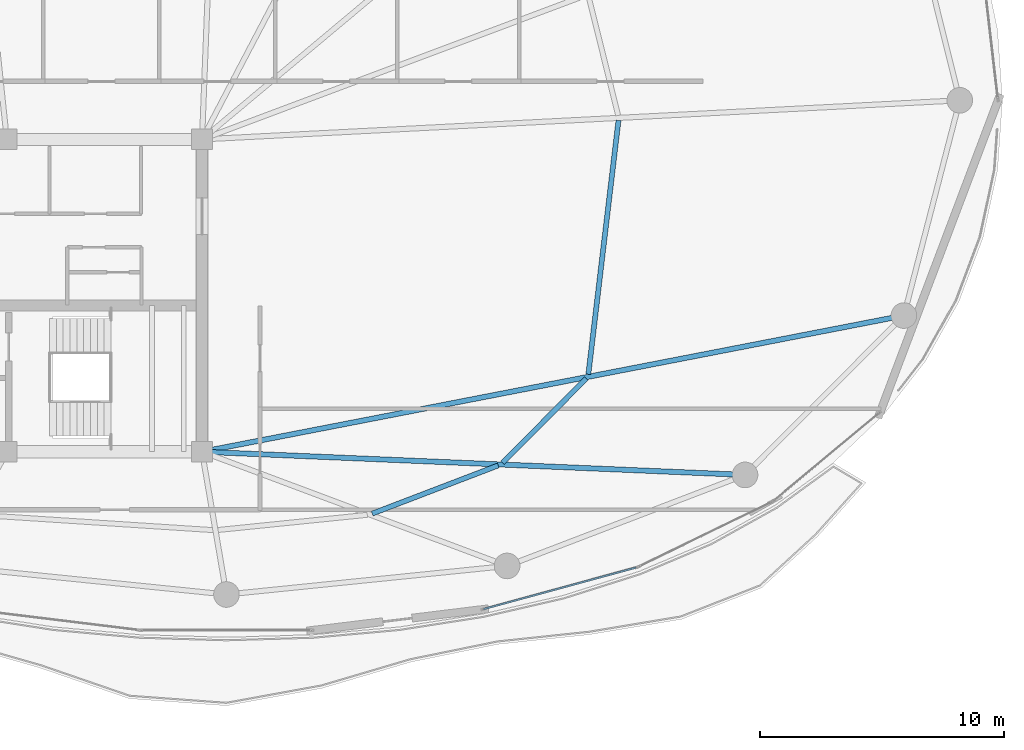
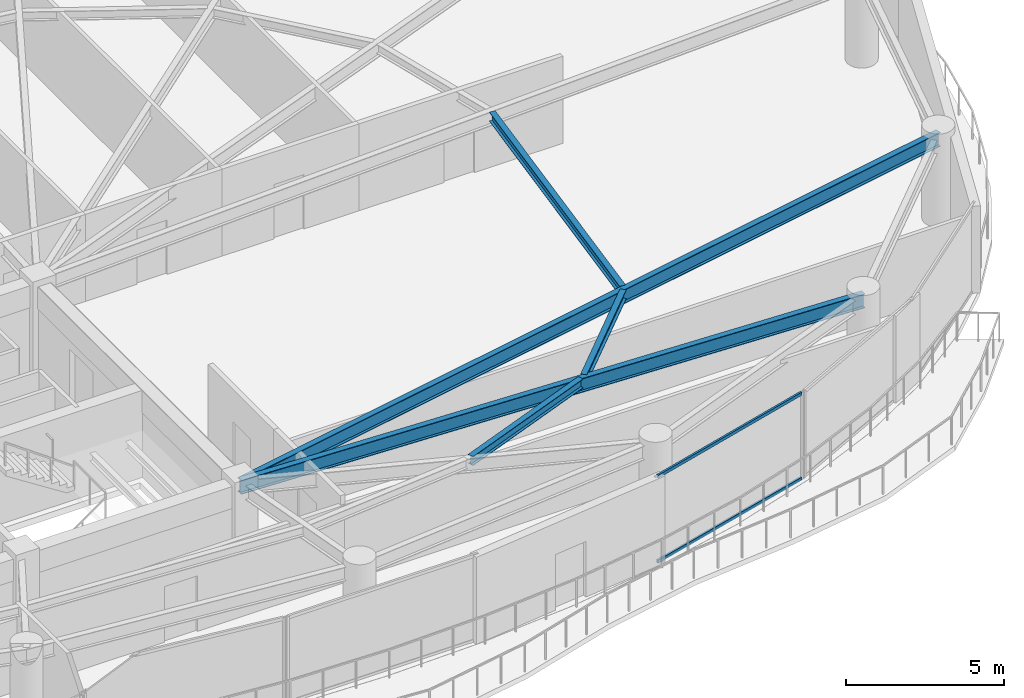
# One storey, part 12 of 30: 5 beams, 2 members, 1 element without a shape of its own.
"""IFC4 building model written with IfcOpenShell, lengths in metres."""

from ifc_helpers import new_model, si_unit, direction, frame, origin, origin_2d, place, context, subcontext, project, spatial, hollow_rectangle, i_section, extrude, material, layer, layer_set, material_profile, profile_set, type_object, element, aggregate, save


model = new_model("IFC4")

# Units and contexts
model_context = context("Model", 3, precision=1e-05, world=origin(), true_north=direction((0.0, 1.0)))
body_context = subcontext(model_context, "Body", "Model", "MODEL_VIEW")
ifc_project = project(units=[si_unit("LENGTHUNIT", "METRE"), si_unit("AREAUNIT", "SQUARE_METRE"), si_unit("VOLUMEUNIT", "CUBIC_METRE"), si_unit("PLANEANGLEUNIT", "RADIAN"), si_unit("MASSUNIT", "GRAM", prefix="KILO")], contexts=[model_context])

# Site, building, storey
site_placement = place(None, origin())
site = spatial("IfcSite", under=ifc_project, at=site_placement, CompositionType="ELEMENT")
building_placement = place(site_placement, origin())
building = spatial("IfcBuilding", under=site, at=building_placement, Name="Kazevale Care Tower and Concert Hall", CompositionType="ELEMENT")
storey_placement = place(building_placement, frame((0.0, 0.0, 242.39990234375)))
storey = spatial("IfcBuildingStorey", under=building, at=storey_placement, Name="L64", CompositionType="ELEMENT", Elevation=242.39990234375)

# Curtain wall, members
ifc_material_1 = material(Name="Aluminium 6063-T6 and Low-E Glass", Category="aluminium")
ifc_layer = layer(ifc_material_1, 0.179931640625)
ifc_layer_set = layer_set([ifc_layer], Name="Aluminium 6063-T6 and Low-E Glass")
curtain_wall_type = type_object("IfcCurtainWallType", Name="Sheltered Concave Balcony Curtain Wall CW-5", PredefinedType="NOTDEFINED", material=ifc_layer_set)
curtain_wall_placement = place(storey_placement, origin())
curtain_wall = element("IfcCurtainWall", 1, at=curtain_wall_placement, inside=storey, type_object=curtain_wall_type, Name="cw:L64:f04", PredefinedType="NOTDEFINED")
ifc_material_2 = material(Name="Aluminium 6063-T6", Category="aluminium")
ifc_material_profile_1 = material_profile(ifc_material_2, hollow_rectangle(XDim=0.074951171875, YDim=0.1201171875, WallThickness=0.00390625, at=origin_2d()), Name="ALU75x120x4")
ifc_profile_set_1 = profile_set([ifc_material_profile_1], Name="Aluminium 6063-T6")
member_type = type_object("IfcMemberType", Name="CW-5 Transom ALU75x120x4", PredefinedType="USERDEFINED", material=ifc_profile_set_1)
member_1_placement = place(storey_placement, frame((61.78369140625, 18.853271484375, 0.03759765625), z_axis=(-0.964843890632, -0.262823641842, 0.0), x_axis=(0.262823641842, -0.964843890632, 0.0)))
member_1 = element("IfcMember", 2, at=member_1_placement, type_object=member_type, Name="CW-5 transom 1.1", ObjectType="TRANSOM", PredefinedType="USERDEFINED", context=body_context, shape_type="SweptSolid", body=[
    extrude(hollow_rectangle(XDim=0.074951171875, YDim=0.1201171875, WallThickness=0.00390625, at=origin_2d()), origin(), (0.0, 0.0, 1.0), 6.469970703125),
])
member_2_placement = place(storey_placement, frame((61.78369140625, 18.853271484375, 3.322509765625), z_axis=(-0.964843890632, -0.262823641842, 0.0), x_axis=(0.262823641842, -0.964843890632, 0.0)))
member_2 = element("IfcMember", 3, at=member_2_placement, type_object=member_type, Name="CW-5 transom 1.2", ObjectType="TRANSOM", PredefinedType="USERDEFINED", context=body_context, shape_type="SweptSolid", body=[
    extrude(hollow_rectangle(XDim=0.074951171875, YDim=0.1201171875, WallThickness=0.00390625, at=origin_2d()), origin(), (0.0, 0.0, 1.0), 6.469970703125),
])
aggregate(curtain_wall, [member_1, member_2])

# Beams
ifc_material_3 = material(Name="Steel ASTM A572 Gr 50", Category="steel")
ifc_material_profile_2 = material_profile(ifc_material_3, i_section(OverallWidth=0.2119140625, OverallDepth=0.5439453125, WebThickness=0.01318359375, FlangeThickness=0.021240234375, at=origin_2d()), Name="W530x123")
ifc_profile_set_2 = profile_set([ifc_material_profile_2], Name="Steel ASTM A572 Gr 50")
beam_type_1 = type_object("IfcBeamType", Name="Radial Floor Girder W530x123", PredefinedType="BEAM", material=ifc_profile_set_2)
beam_1_placement = place(storey_placement, frame((44.0, 23.60009765625, 3.088134765625), z_axis=(0.999089369477, -0.042666518456, 0.0), x_axis=(0.042666518456, 0.999089369477, 0.0)))
element("IfcBeam", 4, at=beam_1_placement, inside=storey, type_object=beam_type_1, Name="beam:L64:rad:15", PredefinedType="BEAM", context=body_context, shape_type="SweptSolid", body=[
    extrude(i_section(OverallWidth=0.2119140625, OverallDepth=0.5439453125, WebThickness=0.01318359375, FlangeThickness=0.021240234375, at=origin_2d()), origin(), (0.0, 0.0, 1.0), 22.270263671875),
])
beam_2_placement = place(storey_placement, frame((44.0, 23.60009765625, 3.088134765625), z_axis=(0.981694544574, 0.190462125247, 0.0), x_axis=(-0.190462125247, 0.981694544574, 0.0)))
element("IfcBeam", 5, at=beam_2_placement, inside=storey, type_object=beam_type_1, Name="beam:L64:rad:16", PredefinedType="BEAM", context=body_context, shape_type="SweptSolid", body=[
    extrude(i_section(OverallWidth=0.2119140625, OverallDepth=0.5439453125, WebThickness=0.01318359375, FlangeThickness=0.021240234375, at=origin_2d()), origin(), (0.0, 0.0, 1.0), 29.29638671875),
])
ifc_material_profile_3 = material_profile(ifc_material_3, i_section(OverallWidth=0.205078125, OverallDepth=0.35400390625, WebThickness=0.009521484375, FlangeThickness=0.016845703125, at=origin_2d()), Name="W360x79")
ifc_profile_set_3 = profile_set([ifc_material_profile_3], Name="Steel ASTM A572 Gr 50")
beam_type_2 = type_object("IfcBeamType", Name="Secondary Floor Joist W360x79", PredefinedType="JOIST", material=ifc_profile_set_3)
beam_3_placement = place(storey_placement, frame((50.972900390625, 21.06396484375, 3.18310546875), z_axis=(0.934001589337, 0.35726884991, 0.0), x_axis=(-0.35726884991, 0.934001589337, 0.0)))
element("IfcBeam", 6, at=beam_3_placement, inside=storey, type_object=beam_type_2, Name="beam:L64:joist:14", PredefinedType="JOIST", context=body_context, shape_type="SweptSolid", body=[
    extrude(i_section(OverallWidth=0.205078125, OverallDepth=0.35400390625, WebThickness=0.009521484375, FlangeThickness=0.016845703125, at=origin_2d()), origin(), (0.0, 0.0, 1.0), 5.531005859375),
])
beam_4_placement = place(storey_placement, frame((56.31201171875, 23.152099609375, 3.18310546875), z_axis=(0.705975874919, 0.708235881633, 0.0), x_axis=(-0.708235881633, 0.705975874919, 0.0)))
element("IfcBeam", 7, at=beam_4_placement, inside=storey, type_object=beam_type_2, Name="beam:L64:joist:15", PredefinedType="JOIST", context=body_context, shape_type="SweptSolid", body=[
    extrude(i_section(OverallWidth=0.205078125, OverallDepth=0.35400390625, WebThickness=0.009521484375, FlangeThickness=0.016845703125, at=origin_2d()), origin(), (0.0, 0.0, 1.0), 4.861083984375),
])
beam_5_placement = place(storey_placement, frame((59.830078125, 26.77294921875, 3.18310546875), z_axis=(0.117874218468, 0.993028533639, 0.0), x_axis=(-0.993028533639, 0.117874218468, 0.0)))
element("IfcBeam", 8, at=beam_5_placement, inside=storey, type_object=beam_type_2, Name="beam:L64:joist:16", PredefinedType="JOIST", context=body_context, shape_type="SweptSolid", body=[
    extrude(i_section(OverallWidth=0.205078125, OverallDepth=0.35400390625, WebThickness=0.009521484375, FlangeThickness=0.016845703125, at=origin_2d()), origin(), (0.0, 0.0, 1.0), 10.47607421875),
])

save(model, "model.ifc")
